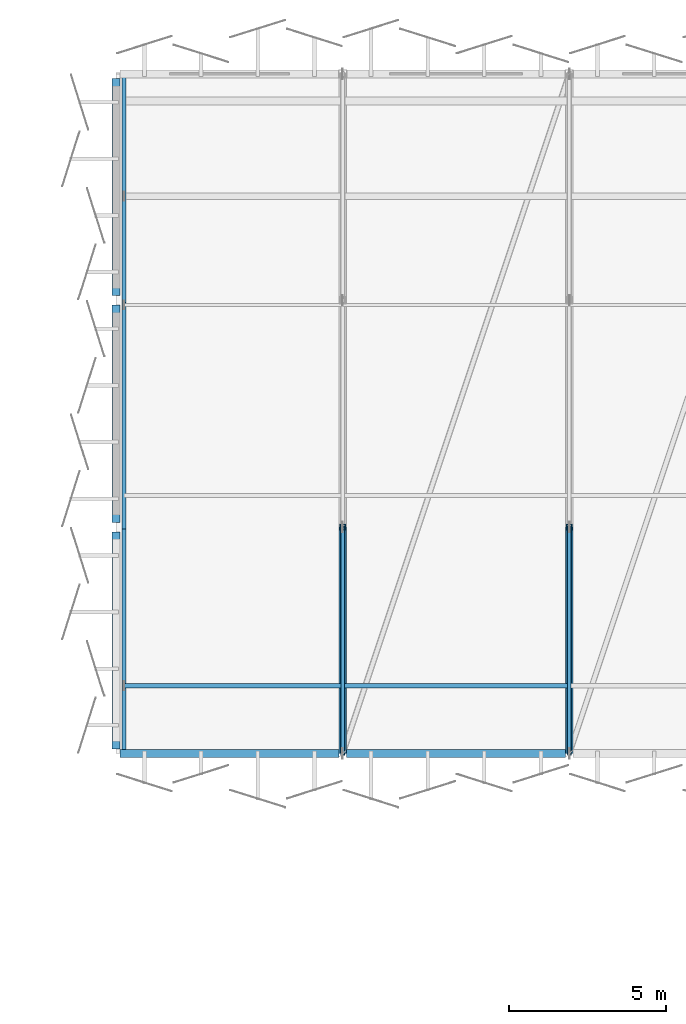
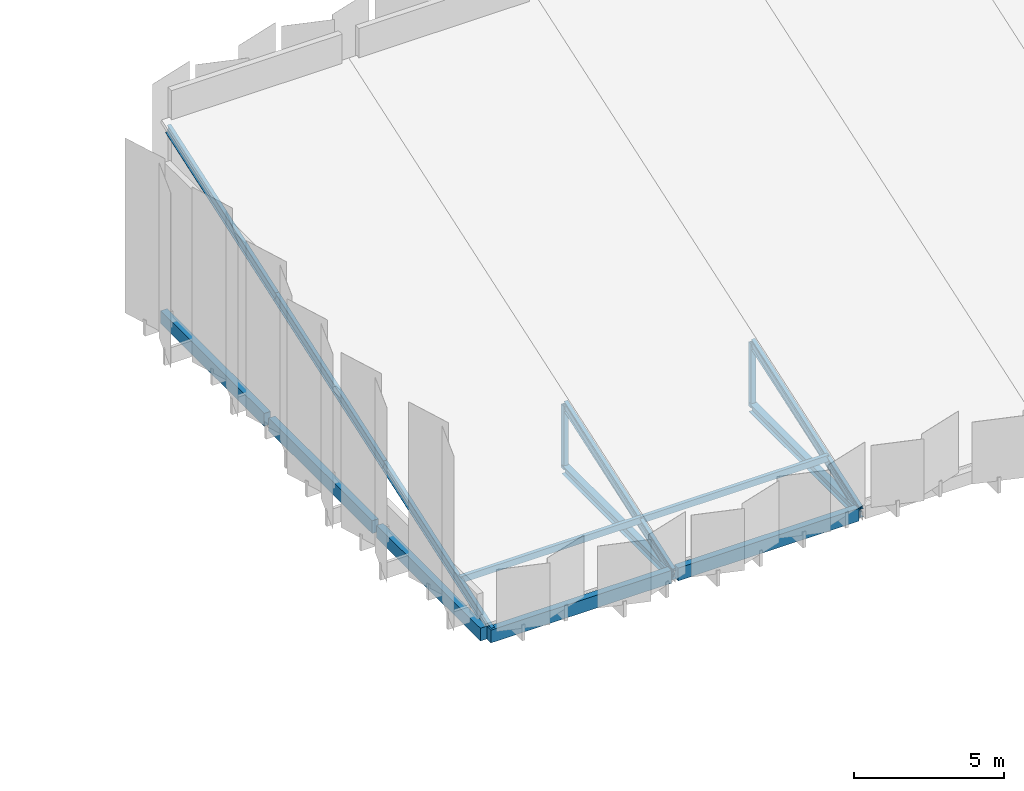
# One storey, part 9 of 59: 13 members, 5 beams.
"""IFC4 building model written with IfcOpenShell, lengths in metres."""

from ifc_helpers import new_model, si_unit, direction, frame, origin, origin_2d, place, context, subcontext, project, spatial, rectangle, hollow_rectangle, i_section, extrude, material, material_profile, profile_set, type_object, element, save


model = new_model("IFC4")

# Units and contexts
model_context = context("Model", 3, precision=1e-05, world=origin(), true_north=direction((0.0, 1.0)))
body_context = subcontext(model_context, "Body", "Model", "MODEL_VIEW")
ifc_project = project(units=[si_unit("LENGTHUNIT", "METRE"), si_unit("AREAUNIT", "SQUARE_METRE"), si_unit("VOLUMEUNIT", "CUBIC_METRE"), si_unit("PLANEANGLEUNIT", "RADIAN"), si_unit("MASSUNIT", "GRAM", prefix="KILO")], contexts=[model_context])

# Site, building, storey
site_placement = place(None, origin())
site = spatial("IfcSite", under=ifc_project, at=site_placement, CompositionType="ELEMENT")
building_placement = place(site_placement, origin())
building = spatial("IfcBuilding", under=site, at=building_placement, Name="Kangsadwip Square Police Headquarters", CompositionType="ELEMENT")
storey_placement = place(building_placement, frame((0.0, 0.0, 21.60009765625)))
storey = spatial("IfcBuildingStorey", under=building, at=storey_placement, Name="L05", CompositionType="ELEMENT", Elevation=21.60009765625)

# Beams
ifc_material_1 = material(Name="Concrete M35 (35 MPa)", Category="concrete")
ifc_material_profile_1 = material_profile(ifc_material_1, rectangle(XDim=0.25, YDim=0.52001953125, at=origin_2d()), Name="RC SPN 520X250")
ifc_profile_set_1 = profile_set([ifc_material_profile_1], Name="Concrete M35 (35 MPa)")
beam_type = type_object("IfcBeamType", Name="RcSpandrel520x250", PredefinedType="SPANDREL", material=ifc_profile_set_1)
for number, where, z_axis, x_axis, name in (
    (1, (93.72509765625, 93.60009765625, -0.47998046875), (1.0, 0.0, 0.0), (0.0, 1.0, 0.0), "Beam BM-L05-X-13-13"),
    (2, (100.925048828125, 93.60009765625, -0.47998046875), (1.0, 0.0, 0.0), (0.0, 1.0, 0.0), "Beam BM-L05-X-14-13"),
):
    element("IfcBeam", number, at=place(storey_placement, frame(where, z_axis=z_axis, x_axis=x_axis)), inside=storey, type_object=beam_type, Name=name, PredefinedType="SPANDREL", context=body_context, shape_type="SweptSolid", body=[
        extrude(rectangle(XDim=0.25, YDim=0.52001953125, at=origin_2d()), origin(), (0.0, 0.0, 1.0), 6.949951171875),
    ])
beam_placement = place(storey_placement, frame((93.60009765625, 93.75, -0.47998046875), z_axis=(0.0, 1.0, 0.0), x_axis=(-1.0, 0.0, 0.0)))
element("IfcBeam", 3, at=beam_placement, inside=storey, type_object=beam_type, Name="Beam BM-L05-Y-13-13", PredefinedType="SPANDREL", context=body_context, shape_type="SweptSolid", body=[
    extrude(rectangle(XDim=0.25, YDim=0.52001953125, at=origin_2d()), origin(), (0.0, 0.0, 1.0), 6.89990234375),
])
for number, where, z_axis, x_axis, name in (
    (4, (93.60009765625, 100.949951171875, -0.47998046875), (0.0, 1.0, 0.0), (-1.0, 0.0, 0.0), "Beam BM-L05-Y-13-14"),
    (5, (93.60009765625, 108.14990234375, -0.47998046875), (0.0, 1.0, 0.0), (-1.0, 0.0, 0.0), "Beam BM-L05-Y-13-15"),
):
    element("IfcBeam", number, at=place(storey_placement, frame(where, z_axis=z_axis, x_axis=x_axis)), inside=storey, type_object=beam_type, Name=name, PredefinedType="SPANDREL", context=body_context, shape_type="SweptSolid", body=[
        extrude(rectangle(XDim=0.25, YDim=0.52001953125, at=origin_2d()), origin(), (0.0, 0.0, 1.0), 6.900146484375),
    ])

# Members
ifc_material_2 = material(Name="Structural steel IS 2062 E350 (Grade 350, 350 MPa)", Category="steel")
ifc_material_profile_2 = material_profile(ifc_material_2, hollow_rectangle(XDim=0.139892578125, YDim=0.260009765625, WallThickness=0.010009765625, at=origin_2d()), Name="RHS 260X140X10")
ifc_profile_set_2 = profile_set([ifc_material_profile_2], Name="Structural steel IS 2062 E350 (Grade 350, 350 MPa)")
member_type_1 = type_object("IfcMemberType", Name="RoofPurlinRhs260", PredefinedType="PURLIN", material=ifc_profile_set_2)
member_1_placement = place(storey_placement, frame((93.85009765625, 95.760009765625, 0.429931640625), z_axis=(1.0, 0.0, 0.0), x_axis=(0.0, 1.0, 0.0)))
element("IfcMember", 6, at=member_1_placement, inside=storey, type_object=member_type_1, Name="Truss Member MEM-L05-0197", PredefinedType="PURLIN", context=body_context, shape_type="SweptSolid", body=[
    extrude(hollow_rectangle(XDim=0.139892578125, YDim=0.260009765625, WallThickness=0.010009765625, at=origin_2d()), origin(), (0.0, 0.0, 1.0), 6.949951171875),
])
member_2_placement = place(storey_placement, frame((100.800048828125, 95.760009765625, 0.429931640625), z_axis=(1.0, 0.0, 0.0), x_axis=(0.0, 1.0, 0.0)))
element("IfcMember", 7, at=member_2_placement, inside=storey, type_object=member_type_1, Name="Truss Member MEM-L05-0202", PredefinedType="PURLIN", context=body_context, shape_type="SweptSolid", body=[
    extrude(hollow_rectangle(XDim=0.139892578125, YDim=0.260009765625, WallThickness=0.010009765625, at=origin_2d()), origin(), (0.0, 0.0, 1.0), 7.199951171875),
])
ifc_material_3 = material(Name="Structural steel IS 2062 E350 (Grade 350, 350 MPa)", Category="steel")
ifc_material_profile_3 = material_profile(ifc_material_3, i_section(OverallWidth=0.139892578125, OverallDepth=0.39990234375, WebThickness=0.0087890625, FlangeThickness=0.01611328125, at=origin_2d()), Name="ISMB 400")
ifc_profile_set_3 = profile_set([ifc_material_profile_3], Name="Structural steel IS 2062 E350 (Grade 350, 350 MPa)")
member_type_2 = type_object("IfcMemberType", Name="SawtoothRafterIsmb400", PredefinedType="RAFTER", material=ifc_profile_set_3)
for number, where, z_axis, x_axis, name in (
    (8, (93.85009765625, 93.60009765625, -0.420166015625), (0.0, 0.946016781172, 0.324117647993), (-1.0, 0.0, 0.0), "Truss Member MEM-L05-0119"),
    (9, (93.85009765625, 100.800048828125, 2.046630859375), (0.0, 0.946026616665, 0.324088939275), (-1.0, 0.0, 0.0), "Truss Member MEM-L05-0120"),
    (10, (93.85009765625, 108.0, 4.51318359375), (0.0, 0.946016781172, 0.324117647993), (-1.0, 0.0, 0.0), "Truss Member MEM-L05-0121"),
    (11, (100.800048828125, 93.60009765625, -0.420166015625), (0.0, 0.946016781172, 0.324117647993), (-1.0, 0.0, 0.0), "Truss Member MEM-L05-0125"),
    (12, (108.0, 93.60009765625, -0.420166015625), (0.0, 0.946016781172, 0.324117647993), (-1.0, 0.0, 0.0), "Truss Member MEM-L05-0137"),
):
    element("IfcMember", number, at=place(storey_placement, frame(where, z_axis=z_axis, x_axis=x_axis)), inside=storey, type_object=member_type_2, Name=name, PredefinedType="RAFTER", context=body_context, shape_type="SweptSolid", body=[
        extrude(i_section(OverallWidth=0.139892578125, OverallDepth=0.39990234375, WebThickness=0.0087890625, FlangeThickness=0.01611328125, at=origin_2d()), origin(), (0.0, 0.0, 1.0), 7.61083984375),
    ])
ifc_material_4 = material(Name="Structural steel IS 2062 E350 (Grade 350, 350 MPa)", Category="steel")
ifc_material_profile_4 = material_profile(ifc_material_4, i_section(OverallWidth=0.25, OverallDepth=0.35009765625, WebThickness=0.010009765625, FlangeThickness=0.01171875, at=origin_2d()), Name="ISHB 350")
ifc_profile_set_4 = profile_set([ifc_material_profile_4], Name="Structural steel IS 2062 E350 (Grade 350, 350 MPa)")
member_type_3 = type_object("IfcMemberType", Name="TrussBotChordIshb350", PredefinedType="CHORD", material=ifc_profile_set_4)
for number, where, z_axis, x_axis, name in (
    (13, (100.800048828125, 93.60009765625, -0.550048828125), (0.0, 1.0, 0.0), (-1.0, 0.0, 0.0), "Truss Member MEM-L05-0122"),
    (14, (108.0, 93.60009765625, -0.550048828125), (0.0, 1.0, 0.0), (-1.0, 0.0, 0.0), "Truss Member MEM-L05-0134"),
):
    element("IfcMember", number, at=place(storey_placement, frame(where, z_axis=z_axis, x_axis=x_axis)), inside=storey, type_object=member_type_3, Name=name, PredefinedType="CHORD", context=body_context, shape_type="SweptSolid", body=[
        extrude(i_section(OverallWidth=0.25, OverallDepth=0.35009765625, WebThickness=0.010009765625, FlangeThickness=0.01171875, at=origin_2d()), origin(), (0.0, 0.0, 1.0), 7.199951171875),
    ])
ifc_material_5 = material(Name="Structural steel IS 2062 E350 (Grade 350, 350 MPa)", Category="steel")
ifc_material_profile_5 = material_profile(ifc_material_5, hollow_rectangle(XDim=0.10009765625, YDim=0.199951171875, WallThickness=0.008056640625, at=origin_2d()), Name="RHS 200X100X8")
ifc_profile_set_5 = profile_set([ifc_material_profile_5], Name="Structural steel IS 2062 E350 (Grade 350, 350 MPa)")
member_type_4 = type_object("IfcMemberType", Name="TrussBraceRhs200", PredefinedType="BRACE", material=ifc_profile_set_5)
for number, where, z_axis, x_axis, name in (
    (15, (100.800048828125, 93.60009765625, -0.550048828125), (0.0, 0.940691667696, 0.339262709898), (-1.0, 0.0, 0.0), "Truss Member MEM-L05-0131"),
    (16, (108.0, 93.60009765625, -0.550048828125), (0.0, 0.940691667696, 0.339262709898), (-1.0, 0.0, 0.0), "Truss Member MEM-L05-0143"),
):
    element("IfcMember", number, at=place(storey_placement, frame(where, z_axis=z_axis, x_axis=x_axis)), inside=storey, type_object=member_type_4, Name=name, PredefinedType="BRACE", context=body_context, shape_type="SweptSolid", body=[
        extrude(hollow_rectangle(XDim=0.10009765625, YDim=0.199951171875, WallThickness=0.008056640625, at=origin_2d()), origin(), (0.0, 0.0, 1.0), 7.65380859375),
    ])
ifc_material_6 = material(Name="Structural steel IS 2062 E350 (Grade 350, 350 MPa)", Category="steel")
ifc_material_profile_6 = material_profile(ifc_material_6, hollow_rectangle(XDim=0.179931640625, YDim=0.179931640625, WallThickness=0.010009765625, at=origin_2d()), Name="SHS 180X180X10")
ifc_profile_set_6 = profile_set([ifc_material_profile_6], Name="Structural steel IS 2062 E350 (Grade 350, 350 MPa)")
member_type_5 = type_object("IfcMemberType", Name="TrussPostShs180", PredefinedType="POST", material=ifc_profile_set_6)
for number, where, z_axis, x_axis, name in (
    (17, (100.800048828125, 100.800048828125, -0.550048828125), (0.0, 0.0, 1.0), (1.0, 0.0, 0.0), "Truss Member MEM-L05-0128"),
    (18, (108.0, 100.800048828125, -0.550048828125), (0.0, 0.0, 1.0), (1.0, 0.0, 0.0), "Truss Member MEM-L05-0140"),
):
    element("IfcMember", number, at=place(storey_placement, frame(where, z_axis=z_axis, x_axis=x_axis)), inside=storey, type_object=member_type_5, Name=name, PredefinedType="POST", context=body_context, shape_type="SweptSolid", body=[
        extrude(hollow_rectangle(XDim=0.179931640625, YDim=0.179931640625, WallThickness=0.010009765625, at=origin_2d()), origin(), (0.0, 0.0, 1.0), 2.5966796875),
    ])

save(model, "model.ifc")
